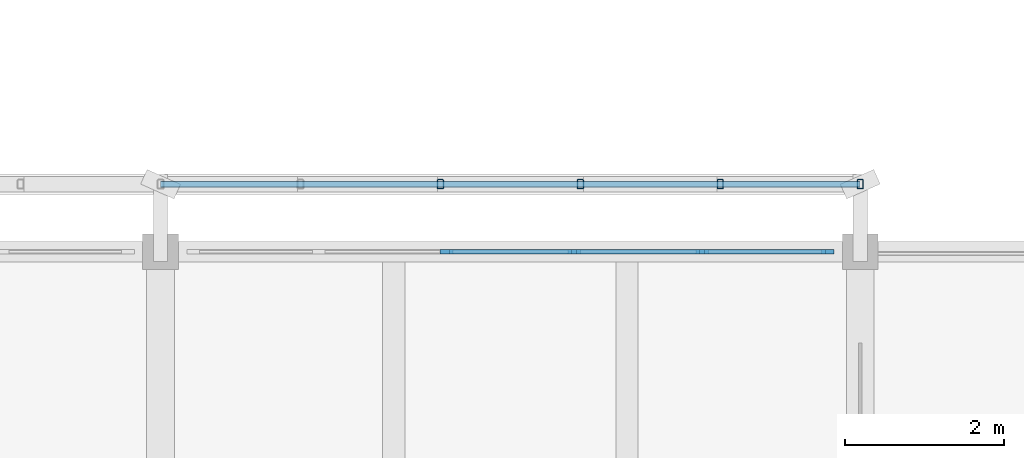
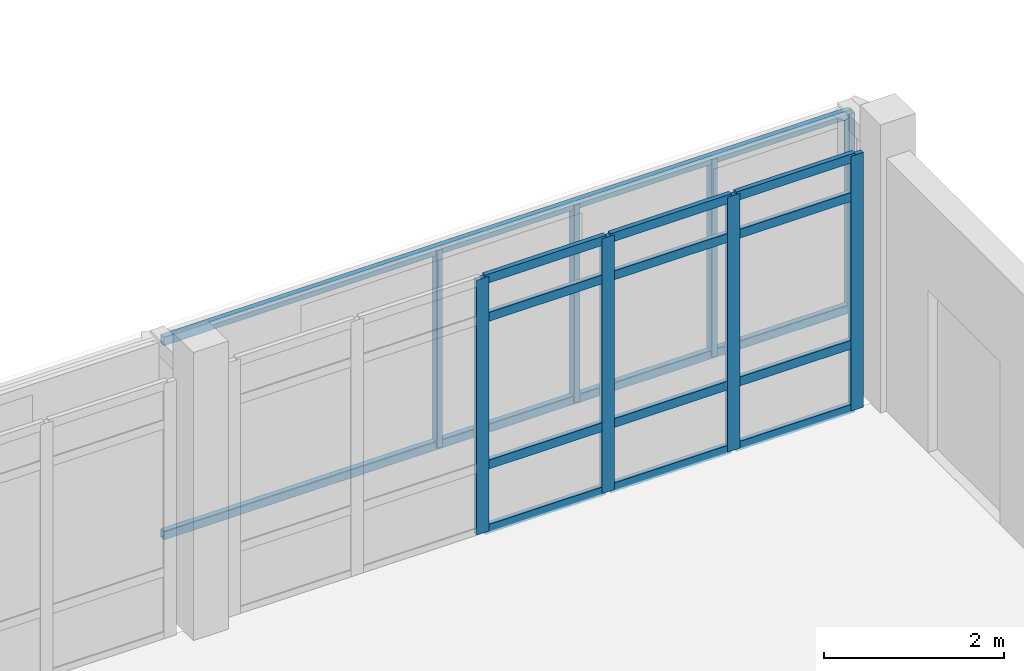
# One storey, part 33 of 117: 22 members, 1 element without a shape of its own.
"""IFC4 building model written with IfcOpenShell, lengths in metres."""

from ifc_helpers import new_model, si_unit, direction, frame, origin, origin_2d, place, context, subcontext, project, spatial, rectangle, hollow_rectangle, extrude, material, material_profile, profile_set, type_object, element, aggregate, save


model = new_model("IFC4")

# Units and contexts
model_context = context("Model", 3, precision=1e-05, world=origin(), true_north=direction((0.0, 1.0)))
body_context = subcontext(model_context, "Body", "Model", "MODEL_VIEW")
ifc_project = project(units=[si_unit("LENGTHUNIT", "METRE"), si_unit("AREAUNIT", "SQUARE_METRE"), si_unit("VOLUMEUNIT", "CUBIC_METRE"), si_unit("PLANEANGLEUNIT", "RADIAN"), si_unit("MASSUNIT", "GRAM", prefix="KILO")], contexts=[model_context])

# Site, building, storey
site_placement = place(None, origin())
site = spatial("IfcSite", under=ifc_project, at=site_placement, CompositionType="ELEMENT")
building_placement = place(site_placement, origin())
building = spatial("IfcBuilding", under=site, at=building_placement, Name="Cinderway Yard Community Centre", CompositionType="ELEMENT")
storey_placement = place(building_placement, frame((0.0, 0.0, 9.0)))
storey = spatial("IfcBuildingStorey", under=building, at=storey_placement, Name="L02", CompositionType="ELEMENT", Elevation=9.0)

# Curtain wall, members
ifc_material_1 = material(Name="Aluminium 6063-T6", Category="aluminium")
curtain_wall_type = type_object("IfcCurtainWallType", Name="ENV-CW-TYPE-30", PredefinedType="USERDEFINED", material=ifc_material_1)
curtain_wall_placement = place(storey_placement, origin())
curtain_wall = element("IfcCurtainWall", 1, at=curtain_wall_placement, inside=storey, type_object=curtain_wall_type, Name="Dining Courtyard Curtain Wall ENV-CW-L02-ST-0106", ObjectType="GLAZED CURTAIN WALL", PredefinedType="USERDEFINED")
ifc_material_profile_1 = material_profile(ifc_material_1, rectangle(XDim=0.06005859375, YDim=0.159912109375, at=origin_2d()), Name="Aluminium 6063-T6")
ifc_profile_set_1 = profile_set([ifc_material_profile_1], Name="Aluminium 6063-T6")
member_type_1 = type_object("IfcMemberType", Name="ENV-CW-MULL-150", PredefinedType="MULLION", material=ifc_profile_set_1)
member_1_placement = place(storey_placement, frame((105.196044921875, 22.800048828125, 0.0), z_axis=(0.0, 0.0, 1.0), x_axis=(0.0, 1.0, 0.0)))
member_1 = element("IfcMember", 2, at=member_1_placement, type_object=member_type_1, Name="CW-30 mullion 3", PredefinedType="MULLION", context=body_context, shape_type="SweptSolid", body=[
    extrude(rectangle(XDim=0.06005859375, YDim=0.159912109375, at=origin_2d()), origin(), (0.0, 0.0, 1.0), 3.449951171875),
])
member_2_placement = place(storey_placement, frame((106.803955078125, 22.800048828125, 0.0), z_axis=(0.0, 0.0, 1.0), x_axis=(0.0, 1.0, 0.0)))
member_2 = element("IfcMember", 3, at=member_2_placement, type_object=member_type_1, Name="CW-30 mullion 4", PredefinedType="MULLION", context=body_context, shape_type="SweptSolid", body=[
    extrude(rectangle(XDim=0.06005859375, YDim=0.159912109375, at=origin_2d()), origin(), (0.0, 0.0, 1.0), 3.449951171875),
])
member_3_placement = place(storey_placement, frame((108.412109375, 22.800048828125, 0.0), z_axis=(0.0, 0.0, 1.0), x_axis=(0.0, 1.0, 0.0)))
member_3 = element("IfcMember", 4, at=member_3_placement, type_object=member_type_1, Name="CW-30 mullion 5", PredefinedType="MULLION", context=body_context, shape_type="SweptSolid", body=[
    extrude(rectangle(XDim=0.06005859375, YDim=0.159912109375, at=origin_2d()), origin(), (0.0, 0.0, 1.0), 3.449951171875),
])
member_4_placement = place(storey_placement, frame((109.989990234375, 22.800048828125, 0.0), z_axis=(0.0, 0.0, 1.0), x_axis=(0.0, 1.0, 0.0)))
member_4 = element("IfcMember", 5, at=member_4_placement, type_object=member_type_1, Name="CW-30 mullion 6", PredefinedType="MULLION", context=body_context, shape_type="SweptSolid", body=[
    extrude(rectangle(XDim=0.06005859375, YDim=0.159912109375, at=origin_2d()), origin(), (0.0, 0.0, 1.0), 3.449951171875),
])
ifc_material_profile_2 = material_profile(ifc_material_1, rectangle(XDim=0.06005859375, YDim=0.1201171875, at=origin_2d()), Name="Aluminium 6063-T6")
ifc_profile_set_2 = profile_set([ifc_material_profile_2], Name="Aluminium 6063-T6")
member_type_2 = type_object("IfcMemberType", Name="ENV-CW-TRAN-110", PredefinedType="USERDEFINED", material=ifc_profile_set_2)
member_5_placement = place(storey_placement, frame((105.22607421875, 22.800048828125, 0.030029296875), z_axis=(1.0, 0.0, 0.0), x_axis=(0.0, 1.0, 0.0)))
member_5 = element("IfcMember", 6, at=member_5_placement, type_object=member_type_2, Name="CW-30 transom 3.1", ObjectType="TRANSOM", PredefinedType="USERDEFINED", context=body_context, shape_type="SweptSolid", body=[
    extrude(rectangle(XDim=0.06005859375, YDim=0.1201171875, at=origin_2d()), origin(), (0.0, 0.0, 1.0), 1.5478515625),
])
member_6_placement = place(storey_placement, frame((105.22607421875, 22.800048828125, 0.89990234375), z_axis=(1.0, 0.0, 0.0), x_axis=(0.0, 1.0, 0.0)))
member_6 = element("IfcMember", 7, at=member_6_placement, type_object=member_type_2, Name="CW-30 transom 3.2", ObjectType="TRANSOM", PredefinedType="USERDEFINED", context=body_context, shape_type="SweptSolid", body=[
    extrude(rectangle(XDim=0.06005859375, YDim=0.1201171875, at=origin_2d()), origin(), (0.0, 0.0, 1.0), 1.5478515625),
])
member_7_placement = place(storey_placement, frame((105.22607421875, 22.800048828125, 2.89990234375), z_axis=(1.0, 0.0, 0.0), x_axis=(0.0, 1.0, 0.0)))
member_7 = element("IfcMember", 8, at=member_7_placement, type_object=member_type_2, Name="CW-30 transom 3.3", ObjectType="TRANSOM", PredefinedType="USERDEFINED", context=body_context, shape_type="SweptSolid", body=[
    extrude(rectangle(XDim=0.06005859375, YDim=0.1201171875, at=origin_2d()), origin(), (0.0, 0.0, 1.0), 1.5478515625),
])
member_8_placement = place(storey_placement, frame((105.22607421875, 22.800048828125, 3.419921875), z_axis=(1.0, 0.0, 0.0), x_axis=(0.0, 1.0, 0.0)))
member_8 = element("IfcMember", 9, at=member_8_placement, type_object=member_type_2, Name="CW-30 transom 3.4", ObjectType="TRANSOM", PredefinedType="USERDEFINED", context=body_context, shape_type="SweptSolid", body=[
    extrude(rectangle(XDim=0.06005859375, YDim=0.1201171875, at=origin_2d()), origin(), (0.0, 0.0, 1.0), 1.5478515625),
])
member_9_placement = place(storey_placement, frame((106.833984375, 22.800048828125, 0.030029296875), z_axis=(1.0, 0.0, 0.0), x_axis=(0.0, 1.0, 0.0)))
member_9 = element("IfcMember", 10, at=member_9_placement, type_object=member_type_2, Name="CW-30 transom 4.1", ObjectType="TRANSOM", PredefinedType="USERDEFINED", context=body_context, shape_type="SweptSolid", body=[
    extrude(rectangle(XDim=0.06005859375, YDim=0.1201171875, at=origin_2d()), origin(), (0.0, 0.0, 1.0), 1.548095703125),
])
member_10_placement = place(storey_placement, frame((106.833984375, 22.800048828125, 0.89990234375), z_axis=(1.0, 0.0, 0.0), x_axis=(0.0, 1.0, 0.0)))
member_10 = element("IfcMember", 11, at=member_10_placement, type_object=member_type_2, Name="CW-30 transom 4.2", ObjectType="TRANSOM", PredefinedType="USERDEFINED", context=body_context, shape_type="SweptSolid", body=[
    extrude(rectangle(XDim=0.06005859375, YDim=0.1201171875, at=origin_2d()), origin(), (0.0, 0.0, 1.0), 1.548095703125),
])
member_11_placement = place(storey_placement, frame((106.833984375, 22.800048828125, 2.89990234375), z_axis=(1.0, 0.0, 0.0), x_axis=(0.0, 1.0, 0.0)))
member_11 = element("IfcMember", 12, at=member_11_placement, type_object=member_type_2, Name="CW-30 transom 4.3", ObjectType="TRANSOM", PredefinedType="USERDEFINED", context=body_context, shape_type="SweptSolid", body=[
    extrude(rectangle(XDim=0.06005859375, YDim=0.1201171875, at=origin_2d()), origin(), (0.0, 0.0, 1.0), 1.548095703125),
])
member_12_placement = place(storey_placement, frame((106.833984375, 22.800048828125, 3.419921875), z_axis=(1.0, 0.0, 0.0), x_axis=(0.0, 1.0, 0.0)))
member_12 = element("IfcMember", 13, at=member_12_placement, type_object=member_type_2, Name="CW-30 transom 4.4", ObjectType="TRANSOM", PredefinedType="USERDEFINED", context=body_context, shape_type="SweptSolid", body=[
    extrude(rectangle(XDim=0.06005859375, YDim=0.1201171875, at=origin_2d()), origin(), (0.0, 0.0, 1.0), 1.548095703125),
])
member_13_placement = place(storey_placement, frame((108.44189453125, 22.800048828125, 0.030029296875), z_axis=(1.0, 0.0, 0.0), x_axis=(0.0, 1.0, 0.0)))
member_13 = element("IfcMember", 14, at=member_13_placement, type_object=member_type_2, Name="CW-30 transom 5.1", ObjectType="TRANSOM", PredefinedType="USERDEFINED", context=body_context, shape_type="SweptSolid", body=[
    extrude(rectangle(XDim=0.06005859375, YDim=0.1201171875, at=origin_2d()), origin(), (0.0, 0.0, 1.0), 1.51806640625),
])
member_14_placement = place(storey_placement, frame((108.44189453125, 22.800048828125, 0.89990234375), z_axis=(1.0, 0.0, 0.0), x_axis=(0.0, 1.0, 0.0)))
member_14 = element("IfcMember", 15, at=member_14_placement, type_object=member_type_2, Name="CW-30 transom 5.2", ObjectType="TRANSOM", PredefinedType="USERDEFINED", context=body_context, shape_type="SweptSolid", body=[
    extrude(rectangle(XDim=0.06005859375, YDim=0.1201171875, at=origin_2d()), origin(), (0.0, 0.0, 1.0), 1.51806640625),
])
member_15_placement = place(storey_placement, frame((108.44189453125, 22.800048828125, 2.89990234375), z_axis=(1.0, 0.0, 0.0), x_axis=(0.0, 1.0, 0.0)))
member_15 = element("IfcMember", 16, at=member_15_placement, type_object=member_type_2, Name="CW-30 transom 5.3", ObjectType="TRANSOM", PredefinedType="USERDEFINED", context=body_context, shape_type="SweptSolid", body=[
    extrude(rectangle(XDim=0.06005859375, YDim=0.1201171875, at=origin_2d()), origin(), (0.0, 0.0, 1.0), 1.51806640625),
])
member_16_placement = place(storey_placement, frame((108.44189453125, 22.800048828125, 3.419921875), z_axis=(1.0, 0.0, 0.0), x_axis=(0.0, 1.0, 0.0)))
member_16 = element("IfcMember", 17, at=member_16_placement, type_object=member_type_2, Name="CW-30 transom 5.4", ObjectType="TRANSOM", PredefinedType="USERDEFINED", context=body_context, shape_type="SweptSolid", body=[
    extrude(rectangle(XDim=0.06005859375, YDim=0.1201171875, at=origin_2d()), origin(), (0.0, 0.0, 1.0), 1.51806640625),
])
aggregate(curtain_wall, [member_1, member_2, member_3, member_4, member_5, member_6, member_7, member_8, member_9, member_10, member_11, member_12, member_13, member_14, member_15, member_16])

# Members
ifc_material_2 = material(Name="Steel S355", Category="steel")
ifc_material_profile_3 = material_profile(ifc_material_2, hollow_rectangle(XDim=0.080078125, YDim=0.1201171875, WallThickness=0.00634765625, InnerFilletRadius=0.00634765625, OuterFilletRadius=0.0126953125, at=origin_2d()), Name="Steel S355")
ifc_profile_set_3 = profile_set([ifc_material_profile_3], Name="Steel S355")
member_type_3 = type_object("IfcMemberType", Name="ENV-MEM-SCREEN-RAIL-120", PredefinedType="STRINGER", material=ifc_profile_set_3)
for number, where, z_axis, x_axis, name in (
    (18, (101.60009765625, 23.64990234375, 0.7099609375), (1.0, 0.0, 0.0), (0.0, 1.0, 0.0), "Screen support rail 0732-BOT"),
    (19, (101.60009765625, 23.64990234375, 3.340087890625), (1.0, 0.0, 0.0), (0.0, 1.0, 0.0), "Screen support rail 0733-TOP"),
):
    element("IfcMember", number, at=place(storey_placement, frame(where, z_axis=z_axis, x_axis=x_axis)), inside=storey, type_object=member_type_3, Name=name, PredefinedType="STRINGER", context=body_context, shape_type="SweptSolid", body=[
        extrude(hollow_rectangle(XDim=0.080078125, YDim=0.1201171875, WallThickness=0.00634765625, InnerFilletRadius=0.00634765625, OuterFilletRadius=0.0126953125, at=origin_2d()), origin(), (0.0, 0.0, 1.0), 8.7998046875),
    ])
for number, where, z_axis, x_axis, name in (
    (20, (105.1201171875, 23.64990234375, 0.68994140625), (0.0, 0.0, 1.0), (1.0, 0.0, 0.0), "Screen vertical mullion 0735"),
    (21, (106.8798828125, 23.64990234375, 0.68994140625), (0.0, 0.0, 1.0), (1.0, 0.0, 0.0), "Screen vertical mullion 0736"),
    (22, (108.639892578125, 23.64990234375, 0.68994140625), (0.0, 0.0, 1.0), (1.0, 0.0, 0.0), "Screen vertical mullion 0737"),
    (23, (110.39990234375, 23.64990234375, 0.68994140625), (0.0, 0.0, 1.0), (1.0, 0.0, 0.0), "Screen vertical mullion 0738"),
):
    element("IfcMember", number, at=place(storey_placement, frame(where, z_axis=z_axis, x_axis=x_axis)), inside=storey, type_object=member_type_3, Name=name, PredefinedType="STRINGER", context=body_context, shape_type="SweptSolid", body=[
        extrude(hollow_rectangle(XDim=0.080078125, YDim=0.1201171875, WallThickness=0.00634765625, InnerFilletRadius=0.00634765625, OuterFilletRadius=0.0126953125, at=origin_2d()), origin(), (0.0, 0.0, 1.0), 2.670166015625),
    ])

save(model, "model.ifc")
